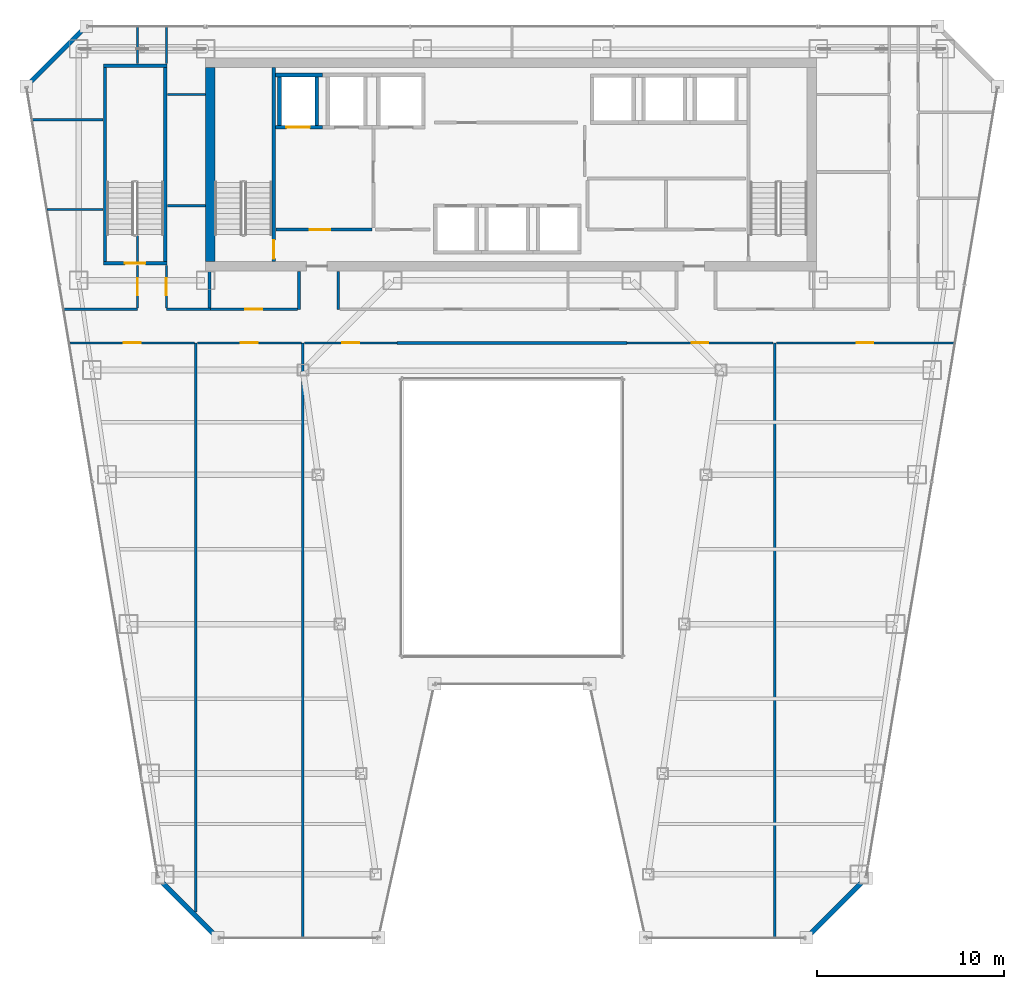
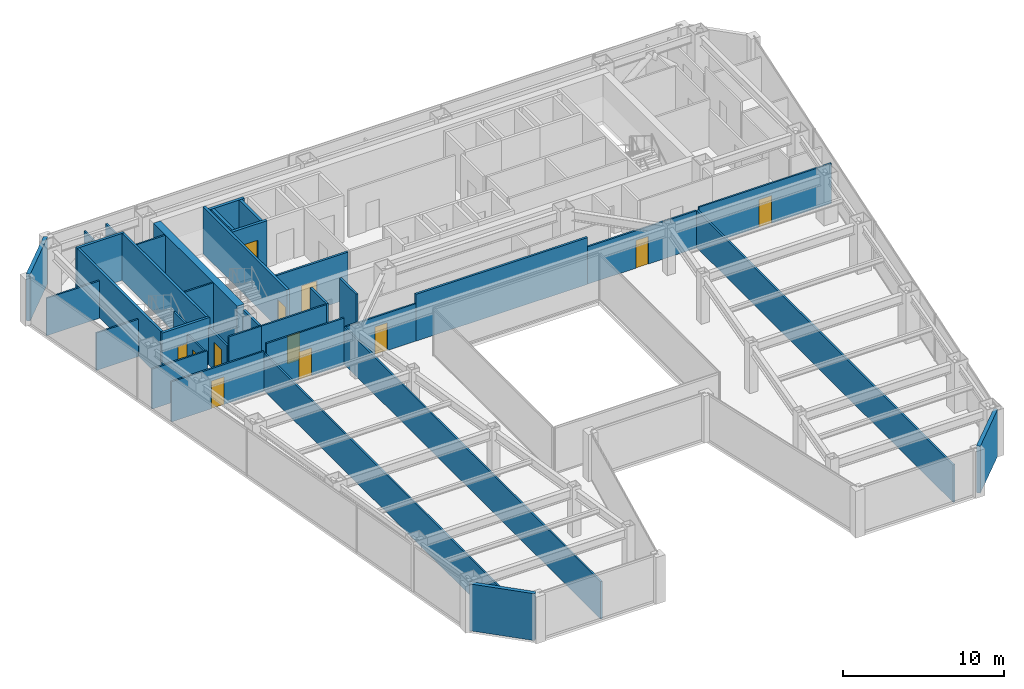
# One storey, part 31 of 37: 38 walls, 12 doors, 12 openings.
"""IFC4 building model written with IfcOpenShell, lengths in metres."""

import ifcopenshell
import ifcopenshell.guid

model = None  # the IFC model being written
_history = None  # IfcOwnerHistory: only IFC2X3 demands one
_inside = {}  # id of a spatial element -> (the spatial element, [elements in it])
_under = {}  # id of a project, library or spatial element -> (it, [spatial elements below it])
_declared = {}  # id of a project -> (the project, [libraries it declares])
_typed = {}  # id of a type object -> (the type object, [elements of that type])
_made_of = {}  # id of a material, layer set ... -> (it, [elements and type objects made of it])


def new_model(schema):
    """Start an empty IFC model of exactly this schema.

    Asked for "IFC4X3", IfcOpenShell would pick the latest addendum, in which some entities
    have other attributes; the version numbers below select the first issue.
    IFC2X3 requires an IfcOwnerHistory on every rooted entity: one is made here for all.
    """
    global model, _history
    if schema == "IFC4X3":
        model = ifcopenshell.file(schema_version=(4, 3, 0, 0))
    else:
        model = ifcopenshell.file(schema=schema)
    _inside.clear()
    _under.clear()
    _declared.clear()
    _typed.clear()
    _made_of.clear()
    _history = None
    if model.schema == "IFC2X3":
        org = make("IfcOrganization", Name="unknown")
        user = make(
            "IfcPersonAndOrganization",
            ThePerson=make("IfcPerson", FamilyName="unknown"),
            TheOrganization=org,
        )
        app = make(
            "IfcApplication",
            ApplicationDeveloper=org,
            Version="unknown",
            ApplicationFullName="unknown",
            ApplicationIdentifier="unknown",
        )
        _history = make(
            "IfcOwnerHistory",
            OwningUser=user,
            OwningApplication=app,
            ChangeAction="ADDED",
            CreationDate=0,
        )
    return model


def make(cls, **values):
    """One entity of the class cls with the attributes given. An attribute that is None is left unset."""
    return model.create_entity(
        cls, **{name: value for name, value in values.items() if value is not None}
    )


def rooted(cls, **values):
    """An entity with a GlobalId (a new one), such as an element, a storey or a relation."""
    return make(cls, GlobalId=ifcopenshell.guid.new(), OwnerHistory=_history, **values)


def si_unit(unit_type, name, prefix=None):
    """IfcSIUnit, for example si_unit("LENGTHUNIT", "METRE", prefix="MILLI")."""
    return make("IfcSIUnit", UnitType=unit_type, Prefix=prefix, Name=name)


def assignment(units):
    """IfcUnitAssignment: the units of a project."""
    return None if units is None else make("IfcUnitAssignment", Units=units)


def point(xyz):
    """IfcCartesianPoint."""
    return None if xyz is None else make("IfcCartesianPoint", Coordinates=xyz)


def direction(xyz):
    """IfcDirection."""
    return None if xyz is None else make("IfcDirection", DirectionRatios=xyz)


def frame(location, z_axis=None, x_axis=None):
    """IfcAxis2Placement3D, a coordinate frame: its origin and axes. An axis left out is left unset."""
    return make(
        "IfcAxis2Placement3D",
        Location=point(location),
        Axis=direction(z_axis),
        RefDirection=direction(x_axis),
    )


def frame_2d(location, x_axis=None):
    """IfcAxis2Placement2D, a coordinate frame in the plane: its origin and x axis."""
    return make(
        "IfcAxis2Placement2D", Location=point(location), RefDirection=direction(x_axis)
    )


def origin():
    """The frame at (0, 0, 0) with its axes left unset."""
    return frame((0.0, 0.0, 0.0))


def place(relative_to, where):
    """IfcLocalPlacement: puts the frame where relative to a parent placement (None: the world)."""
    return make(
        "IfcLocalPlacement", PlacementRelTo=relative_to, RelativePlacement=where
    )


def context(
    kind, dimensions, precision=None, world=None, true_north=None, identifier=None
):
    """IfcGeometricRepresentationContext, for example the 3D "Model" context."""
    return make(
        "IfcGeometricRepresentationContext",
        ContextIdentifier=identifier,
        ContextType=kind,
        CoordinateSpaceDimension=dimensions,
        Precision=precision,
        WorldCoordinateSystem=world,
        TrueNorth=true_north,
    )


def subcontext(parent, identifier, kind, view, scale=None):
    """IfcGeometricRepresentationSubContext, for example "Body" below "Model"."""
    return make(
        "IfcGeometricRepresentationSubContext",
        ContextIdentifier=identifier,
        ContextType=kind,
        ParentContext=parent,
        TargetScale=scale,
        TargetView=view,
    )


def project(units=None, contexts=None):
    """IfcProject with its units and contexts."""
    return rooted(
        "IfcProject",
        Name="project",
        RepresentationContexts=contexts,
        UnitsInContext=assignment(units),
    )


def spatial(cls, under=None, at=None, **own):
    """A site, building, storey or space (cls), placed at a placement, below another one or the project."""
    s = rooted(cls, ObjectPlacement=at, **own)
    if under is not None:
        _under.setdefault(under.id(), (under, []))[1].append(s)
    return s


def profile(cls, at=None, kind="AREA", **sizes):
    """A parametric profile (cls). Its sizes go by their IFC names, for example OverallWidth=200.0."""
    return make(cls, ProfileType=kind, Position=at, **sizes)


def rectangle(**sizes):
    """IfcRectangleProfileDef."""
    return profile("IfcRectangleProfileDef", **sizes)


def extrude(swept, where, along, depth):
    """IfcExtrudedAreaSolid: the profile swept, set in the frame where, extruded along a direction by depth."""
    return make(
        "IfcExtrudedAreaSolid",
        SweptArea=swept,
        Position=where,
        ExtrudedDirection=direction(along),
        Depth=depth,
    )


def shape(context_of_items, identifier, shape_type, items):
    """IfcShapeRepresentation: the items that make up one representation, for example the "Body"."""
    return make(
        "IfcShapeRepresentation",
        ContextOfItems=context_of_items,
        RepresentationIdentifier=identifier,
        RepresentationType=shape_type,
        Items=items,
    )


def material(Name=None, Category=None):
    """IfcMaterial."""
    return make("IfcMaterial", Name=Name, Category=Category)


def layer(
    of_material, thickness, ventilated=None, Name=None, Category=None, Priority=None
):
    """IfcMaterialLayer: one layer of a wall or slab, of a material (None: an air gap)."""
    return make(
        "IfcMaterialLayer",
        Material=of_material,
        LayerThickness=thickness,
        IsVentilated=ventilated,
        Name=Name,
        Category=Category,
        Priority=Priority,
    )


def layer_set(layers, Name=None):
    """IfcMaterialLayerSet."""
    return make("IfcMaterialLayerSet", MaterialLayers=layers, LayerSetName=Name)


def made_of(thing, what):
    """Note that an element or type object is made of a material, layer set ...; save() writes the relation."""
    if what is not None:
        _made_of.setdefault(what.id(), (what, []))[1].append(thing)
    return thing


def type_object(cls, material=None, **own):
    """A type object (cls), such as IfcWallType, which elements share."""
    return made_of(rooted(cls, **own), material)


def element(
    cls,
    number,
    at=None,
    inside=None,
    cuts=None,
    type_object=None,
    material=None,
    context=None,
    identifier="Body",
    shape_type=None,
    held_by="IfcProductDefinitionShape",
    body=None,
    shapes=None,
    **own,
):
    """One element of the class cls, such as IfcWall. Its Tag is "e" and its number.

    at: its placement. inside: the storey or other place that contains it. cuts: it is an
    opening in that element (IfcRelVoidsElement). A single representation is given by context,
    identifier, shape_type and body (its items); several are given by shapes. held_by: the class
    of the entity that holds the representations. save() writes the other relations.
    """
    e = rooted(cls, Tag="e%d" % number, ObjectPlacement=at, **own)
    if body is not None:
        shapes = [shape(context, identifier, shape_type, body)]
    if shapes is not None:
        e.Representation = make(held_by, Representations=shapes)
    if inside is not None:
        _inside.setdefault(inside.id(), (inside, []))[1].append(e)
    if cuts is not None:
        rooted(
            "IfcRelVoidsElement", RelatingBuildingElement=cuts, RelatedOpeningElement=e
        )
    if type_object is not None:
        _typed.setdefault(type_object.id(), (type_object, []))[1].append(e)
    return made_of(e, material)


def fill(opening, filler):
    """IfcRelFillsElement: the door or window that sits in an opening."""
    return rooted(
        "IfcRelFillsElement",
        RelatingOpeningElement=opening,
        RelatedBuildingElement=filler,
    )


def aggregate(whole, parts):
    """IfcRelAggregates: a whole, such as a stair, and the parts it consists of."""
    return rooted("IfcRelAggregates", RelatingObject=whole, RelatedObjects=parts)


def save(model, path):
    """Write the relations noted so far, then the file.

    IfcRelAggregates (storeys below a building ...), IfcRelContainedInSpatialStructure (elements
    in a storey), IfcRelDefinesByType, IfcRelAssociatesMaterial and IfcRelDeclares: one each for
    every whole, place, type object, material and project.
    """
    for whole, parts in _under.values():
        aggregate(whole, parts)
    for where, things in _inside.values():
        rooted(
            "IfcRelContainedInSpatialStructure",
            RelatedElements=things,
            RelatingStructure=where,
        )
    for kind, things in _typed.values():
        rooted("IfcRelDefinesByType", RelatedObjects=things, RelatingType=kind)
    for what, things in _made_of.values():
        rooted("IfcRelAssociatesMaterial", RelatedObjects=things, RelatingMaterial=what)
    for by, libraries in _declared.values():
        rooted("IfcRelDeclares", RelatingContext=by, RelatedDefinitions=libraries)
    model.write(path)


model = new_model("IFC4")

# Units and contexts
model_context = context("Model", 3, precision=1e-05, world=origin(), true_north=direction((0.0, 1.0)))
body_context = subcontext(model_context, "Body", "Model", "MODEL_VIEW")
ifc_project = project(units=[si_unit("LENGTHUNIT", "METRE"), si_unit("AREAUNIT", "SQUARE_METRE"), si_unit("VOLUMEUNIT", "CUBIC_METRE"), si_unit("PLANEANGLEUNIT", "RADIAN"), si_unit("MASSUNIT", "GRAM", prefix="KILO")], contexts=[model_context])

# Site, building, storey
site_placement = place(None, origin())
site = spatial("IfcSite", under=ifc_project, at=site_placement, CompositionType="ELEMENT")
building_placement = place(site_placement, origin())
building = spatial("IfcBuilding", under=site, at=building_placement, Name="Saevonmaru Cultural Tower", CompositionType="ELEMENT")
storey_placement = place(building_placement, frame((0.0, 0.0, 160.0)))
storey = spatial("IfcBuildingStorey", under=building, at=storey_placement, Name="L35", CompositionType="ELEMENT", Elevation=160.0)

# Wall
ifc_material_1 = material(Name="Concrete C60/75", Category="concrete")
ifc_layer_1 = layer(ifc_material_1, 0.5, Name="Concrete C60/75")
ifc_layer_set_1 = layer_set([ifc_layer_1], Name="Concrete C60/75")
wall_type_1 = type_object("IfcWallType", Name="WL-CORE-500", PredefinedType="SHEAR", material=ifc_layer_set_1)
wall_1_placement = place(storey_placement, frame((13.85009765625, 43.39990234375, 0.0), z_axis=(0.0, 0.0, 1.0), x_axis=(0.0, 1.0, 0.0)))
element("IfcWall", 1, at=wall_1_placement, inside=storey, type_object=wall_type_1, Name="L35 Tower RC core shear wall W", PredefinedType="SHEAR", context=body_context, shape_type="SweptSolid", body=[
    extrude(rectangle(XDim=10.400146484375, YDim=0.5, at=frame_2d((5.2001953125, 0.0))), origin(), (0.0, 0.0, 1.0), 3.550048828125),
])

# Wall, opening, door
ifc_material_2 = material(Name="Gypsum Fireboard Partition", Category="gypsum")
ifc_layer_2 = layer(ifc_material_2, 0.14990234375, Name="Gypsum Fireboard Partition")
ifc_layer_set_2 = layer_set([ifc_layer_2], Name="Gypsum Fireboard Partition")
wall_type_2 = type_object("IfcWallType", Name="WL-CORE-PART-150", PredefinedType="PARTITIONING", material=ifc_layer_set_2)
wall_2_placement = place(storey_placement, frame((17.360107421875, 45.1201171875, 0.0), z_axis=(0.0, 0.0, 1.0), x_axis=(1.0, 0.0, 0.0)))
wall_2 = element("IfcWall", 2, at=wall_2_placement, inside=storey, type_object=wall_type_2, Name="L35 Firefighting Lift Lobby South Wall", PredefinedType="PARTITIONING", context=body_context, shape_type="SweptSolid", body=[
    extrude(rectangle(XDim=5.139892578125, YDim=0.14990234375, at=frame_2d((2.56982421875, 0.0))), origin(), (0.0, 0.0, 1.0), 3.550048828125),
])
opening_1_placement = place(wall_2_placement, frame((1.800048828125, 0.0, 0.0)))
opening_1 = element("IfcOpeningElement", 3, at=opening_1_placement, cuts=wall_2, Name="Opening FD-2", PredefinedType="OPENING", context=body_context, shape_type="SweptSolid", body=[
    extrude(rectangle(XDim=1.10009765625, YDim=2.14990234375, at=frame_2d((0.550048828125, 1.074951171875))), frame((0.0, 0.0849609375, 0.0), z_axis=(0.0, -1.0, 0.0), x_axis=(1.0, 0.0, 0.0)), (0.0, 0.0, 1.0), 0.169921875),
])
ifc_material_3 = material(Name="Satin Bronze Anodised Aluminium", Category="aluminium")
door_type_1 = type_object("IfcDoorType", Name="DR-FD60-1100", OperationType="SINGLE_SWING_LEFT", PredefinedType="DOOR", material=ifc_material_3)
door_1_placement = place(opening_1_placement, origin())
door_1 = element("IfcDoor", 4, at=door_1_placement, inside=storey, type_object=door_type_1, Name="L35 Firefighting Lift Lobby South Door", OperationType="SINGLE_SWING_LEFT", OverallHeight=2.14990234375, OverallWidth=1.10009765625, PredefinedType="DOOR", context=body_context, shape_type="SweptSolid", body=[
    extrude(rectangle(XDim=1.10009765625, YDim=2.14990234375, at=frame_2d((0.550048828125, 1.074951171875))), frame((0.0, 0.02490234375, 0.0), z_axis=(0.0, -1.0, 0.0), x_axis=(1.0, 0.0, 0.0)), (0.0, 0.0, 1.0), 0.050048828125),
])
fill(opening_1, door_1)

# Walls
ifc_material_4 = material(Name="Granite-Clad Precast Concrete C40/50", Category="masonry")
ifc_layer_3 = layer(ifc_material_4, 0.260009765625, Name="Granite-Clad Precast Concrete C40/50")
ifc_layer_set_3 = layer_set([ifc_layer_3], Name="Granite-Clad Precast Concrete C40/50")
wall_type_3 = type_object("IfcWallType", Name="WL-EXT-SPANDREL-260", PredefinedType="STANDARD", material=ifc_layer_set_3)
for number, where, z_axis, x_axis, name in (
    (5, (11.162109375, 10.286865234375, 0.0), (0.0, 0.0, 1.0), (0.70707775441, -0.707135806771, 0.0), "L35 Chamfer Corner Spandrel Wall E1"),
    (6, (45.8642578125, 7.31298828125, 0.0), (0.0, 0.0, 1.0), (0.70707775441, 0.707135806771, 0.0), "L35 Chamfer Corner Spandrel Wall E7"),
):
    element("IfcWall", number, at=place(storey_placement, frame(where, z_axis=z_axis, x_axis=x_axis)), inside=storey, type_object=wall_type_3, Name=name, PredefinedType="STANDARD", context=body_context, shape_type="SweptSolid", body=[
        extrude(rectangle(XDim=4.20556640625, YDim=0.260009765625, at=frame_2d((2.102783203125, 0.0))), origin(), (0.0, 0.0, 1.0), 3.550048828125),
    ])
wall_3_placement = place(storey_placement, frame((7.0869140625, 55.886962890625, 0.0), z_axis=(0.0, 0.0, 1.0), x_axis=(-0.707106781187, -0.707106781187, 0.0)))
element("IfcWall", 7, at=wall_3_placement, inside=storey, type_object=wall_type_3, Name="L35 Chamfer Corner Spandrel Wall E11", PredefinedType="STANDARD", context=body_context, shape_type="SweptSolid", body=[
    extrude(rectangle(XDim=4.205810546875, YDim=0.260009765625, at=frame_2d((2.10302734375, 0.0))), origin(), (0.0, 0.0, 1.0), 3.550048828125),
])
ifc_layer_4 = layer(ifc_material_2, 0.14990234375, Name="Gypsum Fireboard Partition")
ifc_layer_set_4 = layer_set([ifc_layer_4], Name="Gypsum Fireboard Partition")
wall_type_4 = type_object("IfcWallType", Name="WL-PART-FIRE-150", PredefinedType="PARTITIONING", material=ifc_layer_set_4)
wall_4_placement = place(storey_placement, frame((13.800048828125, 40.929931640625, 0.0), z_axis=(0.0, 0.0, 1.0), x_axis=(0.0, 1.0, 0.0)))
element("IfcWall", 8, at=wall_4_placement, inside=storey, type_object=wall_type_4, Name="L35 Core Portal Side Wall W0", PredefinedType="PARTITIONING", context=body_context, shape_type="SweptSolid", body=[
    extrude(rectangle(XDim=1.949951171875, YDim=0.14990234375, at=frame_2d((0.97509765625, 0.0))), origin(), (0.0, 0.0, 1.0), 3.550048828125),
])
for number, where, z_axis, x_axis, name in (
    (9, (18.60009765625, 40.85009765625, 0.0), (0.0, 0.0, 1.0), (0.0, 1.0, 0.0), "L35 Core Portal Side Wall W1"),
    (10, (20.699951171875, 40.85009765625, 0.0), (0.0, 0.0, 1.0), (0.0, 1.0, 0.0), "L35 Core Portal Side Wall W2"),
):
    element("IfcWall", number, at=place(storey_placement, frame(where, z_axis=z_axis, x_axis=x_axis)), inside=storey, type_object=wall_type_4, Name=name, PredefinedType="PARTITIONING", context=body_context, shape_type="SweptSolid", body=[
        extrude(rectangle(XDim=2.02978515625, YDim=0.14990234375, at=frame_2d((1.014892578125, 0.0))), origin(), (0.0, 0.0, 1.0), 3.550048828125),
    ])
wall_5_placement = place(storey_placement, frame((23.85009765625, 39.050048828125, 0.0), z_axis=(0.0, 0.0, 1.0), x_axis=(1.0, 0.0, 0.0)))
element("IfcWall", 11, at=wall_5_placement, inside=storey, type_object=wall_type_4, Name="L35 North Atrium Corridor Wall", PredefinedType="PARTITIONING", context=body_context, shape_type="SweptSolid", body=[
    extrude(rectangle(XDim=12.2998046875, YDim=0.14990234375, at=frame_2d((6.14990234375, 0.0))), origin(), (0.0, 0.0, 1.0), 3.550048828125),
])
ifc_layer_5 = layer(ifc_material_2, 0.1201171875, Name="Gypsum Fireboard Partition")
ifc_layer_set_5 = layer_set([ifc_layer_5], Name="Gypsum Fireboard Partition")
wall_type_5 = type_object("IfcWallType", Name="WL-PART-GYP-120", PredefinedType="PARTITIONING", material=ifc_layer_set_5)
wall_6_placement = place(storey_placement, frame((5.99169921875, 40.85009765625, 0.0), z_axis=(0.0, 0.0, 1.0), x_axis=(1.0, 0.0, 0.0)))
element("IfcWall", 12, at=wall_6_placement, inside=storey, type_object=wall_type_5, Name="L35 NW Wing South Wall", PredefinedType="PARTITIONING", context=body_context, shape_type="SweptSolid", body=[
    extrude(rectangle(XDim=3.958251953125, YDim=0.1201171875, at=frame_2d((1.97900390625, 0.0))), origin(), (0.0, 0.0, 1.0), 3.034912109375),
])
wall_7_placement = place(storey_placement, frame((11.5, 40.85009765625, 0.0), z_axis=(0.0, 0.0, 1.0), x_axis=(1.0, 0.0, 0.0)))
element("IfcWall", 13, at=wall_7_placement, inside=storey, type_object=wall_type_5, Name="L35 NW Inner South Wall", PredefinedType="PARTITIONING", context=body_context, shape_type="SweptSolid", body=[
    extrude(rectangle(XDim=2.35009765625, YDim=0.1201171875, at=frame_2d((1.175048828125, 0.0))), origin(), (0.0, 0.0, 1.0), 3.550048828125),
])
wall_8_placement = place(storey_placement, frame((11.550048828125, 52.35009765625, 0.0), z_axis=(0.0, 0.0, 1.0), x_axis=(1.0, 0.0, 0.0)))
element("IfcWall", 14, at=wall_8_placement, inside=storey, type_object=wall_type_5, Name="L35 North-West Panorama South Wall", PredefinedType="PARTITIONING", context=body_context, shape_type="SweptSolid", body=[
    extrude(rectangle(XDim=2.030029296875, YDim=0.1201171875, at=frame_2d((1.01513671875, 0.0))), origin(), (0.0, 0.0, 1.0), 3.550048828125),
])
wall_9_placement = place(storey_placement, frame((11.5, 54.0, 0.0), z_axis=(0.0, 0.0, 1.0), x_axis=(0.0, 1.0, 0.0)))
element("IfcWall", 15, at=wall_9_placement, inside=storey, type_object=wall_type_5, Name="L35 Literature Seminar Meeting Room Corridor Wall", PredefinedType="PARTITIONING", context=body_context, shape_type="SweptSolid", body=[
    extrude(rectangle(XDim=1.9951171875, YDim=0.1201171875, at=frame_2d((0.99755859375, 0.0))), origin(), (0.0, 0.0, 1.0), 2.93505859375),
])
wall_10_placement = place(storey_placement, frame((5.102294921875, 46.199951171875, 0.0), z_axis=(0.0, 0.0, 1.0), x_axis=(1.0, 0.0, 0.0)))
element("IfcWall", 16, at=wall_10_placement, inside=storey, type_object=wall_type_5, Name="L35 NW Studio Divider 1", PredefinedType="PARTITIONING", context=body_context, shape_type="SweptSolid", body=[
    extrude(rectangle(XDim=2.997802734375, YDim=0.1201171875, at=frame_2d((1.4990234375, 0.0))), origin(), (0.0, 0.0, 1.0), 2.8349609375),
])
wall_11_placement = place(storey_placement, frame((4.30419921875, 51.0, 0.0), z_axis=(0.0, 0.0, 1.0), x_axis=(1.0, 0.0, 0.0)))
element("IfcWall", 17, at=wall_11_placement, inside=storey, type_object=wall_type_5, Name="L35 NW Studio Divider 2", PredefinedType="PARTITIONING", context=body_context, shape_type="SweptSolid", body=[
    extrude(rectangle(XDim=3.7958984375, YDim=0.1201171875, at=frame_2d((1.89794921875, 0.0))), origin(), (0.0, 0.0, 1.0), 2.8349609375),
])

# Wall, opening, door
wall_12_placement = place(storey_placement, frame((9.949951171875, 40.929931640625, 0.0), z_axis=(0.0, 0.0, 1.0), x_axis=(0.0, 1.0, 0.0)))
wall_12 = element("IfcWall", 18, at=wall_12_placement, inside=storey, type_object=wall_type_5, Name="L35 Translation Research Office Corridor Wall", PredefinedType="PARTITIONING", context=body_context, shape_type="SweptSolid", body=[
    extrude(rectangle(XDim=2.27001953125, YDim=0.1201171875, at=frame_2d((1.135009765625, 0.0))), origin(), (0.0, 0.0, 1.0), 2.8349609375),
])
opening_2_placement = place(wall_12_placement, frame((0.68505859375, 0.0, 0.0)))
opening_2 = element("IfcOpeningElement", 19, at=opening_2_placement, cuts=wall_12, Name="Opening ID-2", PredefinedType="OPENING", context=body_context, shape_type="SweptSolid", body=[
    extrude(rectangle(XDim=0.89990234375, YDim=2.10009765625, at=frame_2d((0.449951171875, 1.050048828125))), frame((0.0, 0.070068359375, 0.0), z_axis=(0.0, -1.0, 0.0), x_axis=(1.0, 0.0, 0.0)), (0.0, 0.0, 1.0), 0.14013671875),
])
ifc_material_5 = material(Name="Acoustic Stained Oak Timber", Category="wood")
door_type_2 = type_object("IfcDoorType", Name="DR-INT-900", OperationType="SINGLE_SWING_RIGHT", PredefinedType="DOOR", material=ifc_material_5)
door_2_placement = place(opening_2_placement, origin())
door_2 = element("IfcDoor", 20, at=door_2_placement, inside=storey, type_object=door_type_2, Name="L35 Translation Research Office Door", OperationType="SINGLE_SWING_LEFT", OverallHeight=2.10009765625, OverallWidth=0.89990234375, PredefinedType="DOOR", context=body_context, shape_type="SweptSolid", body=[
    extrude(rectangle(XDim=0.89990234375, YDim=2.10009765625, at=frame_2d((0.449951171875, 1.050048828125))), frame((0.0, 0.02490234375, 0.0), z_axis=(0.0, -1.0, 0.0), x_axis=(1.0, 0.0, 0.0)), (0.0, 0.0, 1.0), 0.050048828125),
])
fill(opening_2, door_2)

# Walls
wall_13_placement = place(storey_placement, frame((9.949951171875, 43.419921875, 0.0), z_axis=(0.0, 0.0, 1.0), x_axis=(0.0, 1.0, 0.0)))
element("IfcWall", 21, at=wall_13_placement, inside=storey, type_object=wall_type_5, Name="L35 Translation Research Office Corridor Wall (2)", PredefinedType="PARTITIONING", context=body_context, shape_type="SweptSolid", body=[
    extrude(rectangle(XDim=1.4501953125, YDim=0.1201171875, at=frame_2d((0.72509765625, 0.0))), origin(), (0.0, 0.0, 1.0), 3.550048828125),
])
wall_14_placement = place(storey_placement, frame((9.949951171875, 54.0, 0.0), z_axis=(0.0, 0.0, 1.0), x_axis=(0.0, 1.0, 0.0)))
element("IfcWall", 22, at=wall_14_placement, inside=storey, type_object=wall_type_5, Name="L35 Literature Seminar Meeting Room Corridor Wall", PredefinedType="PARTITIONING", context=body_context, shape_type="SweptSolid", body=[
    extrude(rectangle(XDim=1.9951171875, YDim=0.1201171875, at=frame_2d((0.99755859375, 0.0))), origin(), (0.0, 0.0, 1.0), 2.93505859375),
])
wall_15_placement = place(storey_placement, frame((11.550048828125, 46.39990234375, 0.0), z_axis=(0.0, 0.0, 1.0), x_axis=(1.0, 0.0, 0.0)))
element("IfcWall", 23, at=wall_15_placement, inside=storey, type_object=wall_type_5, Name="L35 NW Inner Divider", PredefinedType="PARTITIONING", context=body_context, shape_type="SweptSolid", body=[
    extrude(rectangle(XDim=2.030029296875, YDim=0.1201171875, at=frame_2d((1.01513671875, 0.0))), origin(), (0.0, 0.0, 1.0), 3.550048828125),
])

# Wall, opening, door
wall_16_placement = place(storey_placement, frame((11.5, 40.929931640625, 0.0), z_axis=(0.0, 0.0, 1.0), x_axis=(0.0, 1.0, 0.0)))
wall_16 = element("IfcWall", 24, at=wall_16_placement, inside=storey, type_object=wall_type_5, Name="L35 Architecture Residency Office Corridor Wall", PredefinedType="PARTITIONING", context=body_context, shape_type="SweptSolid", body=[
    extrude(rectangle(XDim=2.27001953125, YDim=0.1201171875, at=frame_2d((1.135009765625, 0.0))), origin(), (0.0, 0.0, 1.0), 2.8349609375),
])
opening_3_placement = place(wall_16_placement, frame((0.68505859375, 0.0, 0.0)))
opening_3 = element("IfcOpeningElement", 25, at=opening_3_placement, cuts=wall_16, Name="Opening ID-2", PredefinedType="OPENING", context=body_context, shape_type="SweptSolid", body=[
    extrude(rectangle(XDim=0.89990234375, YDim=2.10009765625, at=frame_2d((0.449951171875, 1.050048828125))), frame((0.0, 0.070068359375, 0.0), z_axis=(0.0, -1.0, 0.0), x_axis=(1.0, 0.0, 0.0)), (0.0, 0.0, 1.0), 0.14013671875),
])
door_3_placement = place(opening_3_placement, origin())
door_3 = element("IfcDoor", 26, at=door_3_placement, inside=storey, type_object=door_type_2, Name="L35 Architecture Residency Office Door", OperationType="SINGLE_SWING_RIGHT", OverallHeight=2.10009765625, OverallWidth=0.89990234375, PredefinedType="DOOR", context=body_context, shape_type="SweptSolid", body=[
    extrude(rectangle(XDim=0.89990234375, YDim=2.10009765625, at=frame_2d((0.449951171875, 1.050048828125))), frame((0.0, 0.02490234375, 0.0), z_axis=(0.0, -1.0, 0.0), x_axis=(1.0, 0.0, 0.0)), (0.0, 0.0, 1.0), 0.050048828125),
])
fill(opening_3, door_3)

wall_17_placement = place(storey_placement, frame((13.85009765625, 40.85009765625, 0.0), z_axis=(0.0, 0.0, 1.0), x_axis=(1.0, 0.0, 0.0)))
wall_17 = element("IfcWall", 27, at=wall_17_placement, inside=storey, type_object=wall_type_5, Name="L35 Translation Research Office Corridor Wall", PredefinedType="PARTITIONING", context=body_context, shape_type="SweptSolid", body=[
    extrude(rectangle(XDim=4.65478515625, YDim=0.1201171875, at=frame_2d((2.327392578125, 0.0))), origin(), (0.0, 0.0, 1.0), 3.550048828125),
])
opening_4_placement = place(wall_17_placement, frame((1.876953125, 0.0, 0.0)))
opening_4 = element("IfcOpeningElement", 28, at=opening_4_placement, cuts=wall_17, Name="Opening ID-2", PredefinedType="OPENING", context=body_context, shape_type="SweptSolid", body=[
    extrude(rectangle(XDim=0.89990234375, YDim=2.10009765625, at=frame_2d((0.449951171875, 1.050048828125))), frame((0.0, 0.070068359375, 0.0), z_axis=(0.0, -1.0, 0.0), x_axis=(1.0, 0.0, 0.0)), (0.0, 0.0, 1.0), 0.14013671875),
])
door_4_placement = place(opening_4_placement, origin())
door_4 = element("IfcDoor", 29, at=door_4_placement, inside=storey, type_object=door_type_2, Name="L35 Translation Research Office Door", OperationType="SINGLE_SWING_RIGHT", OverallHeight=2.10009765625, OverallWidth=0.89990234375, PredefinedType="DOOR", context=body_context, shape_type="SweptSolid", body=[
    extrude(rectangle(XDim=0.89990234375, YDim=2.10009765625, at=frame_2d((0.449951171875, 1.050048828125))), frame((0.0, 0.02490234375, 0.0), z_axis=(0.0, -1.0, 0.0), x_axis=(1.0, 0.0, 0.0)), (0.0, 0.0, 1.0), 0.050048828125),
])
fill(opening_4, door_4)

# Walls
wall_18_placement = place(storey_placement, frame((13.070068359375, 8.591064453125, 0.0), z_axis=(0.0, 0.0, 1.0), x_axis=(0.0, 1.0, 0.0)))
element("IfcWall", 30, at=wall_18_placement, inside=storey, type_object=wall_type_5, Name="L35 West Bay Divider 1", PredefinedType="PARTITIONING", context=body_context, shape_type="SweptSolid", body=[
    extrude(rectangle(XDim=30.458984375, YDim=0.1201171875, at=frame_2d((15.2294921875, 0.0))), origin(), (0.0, 0.0, 1.0), 2.8349609375),
])
wall_19_placement = place(storey_placement, frame((18.800048828125, 7.205078125, 0.0), z_axis=(0.0, 0.0, 1.0), x_axis=(0.0, 1.0, 0.0)))
element("IfcWall", 31, at=wall_19_placement, inside=storey, type_object=wall_type_5, Name="L35 West Bay Divider 2", PredefinedType="PARTITIONING", context=body_context, shape_type="SweptSolid", body=[
    extrude(rectangle(XDim=31.844970703125, YDim=0.1201171875, at=frame_2d((15.92236328125, 0.0))), origin(), (0.0, 0.0, 1.0), 2.8349609375),
])

# Wall, opening, door
wall_20_placement = place(storey_placement, frame((6.348388671875, 39.050048828125, 0.0), z_axis=(0.0, 0.0, 1.0), x_axis=(1.0, 0.0, 0.0)))
wall_20 = element("IfcWall", 32, at=wall_20_placement, inside=storey, type_object=wall_type_5, Name="L35 Translation Research Office Corridor Wall", PredefinedType="PARTITIONING", context=body_context, shape_type="SweptSolid", body=[
    extrude(rectangle(XDim=6.6416015625, YDim=0.1201171875, at=frame_2d((3.32080078125, 0.0))), origin(), (0.0, 0.0, 1.0), 3.034912109375),
])
opening_5_placement = place(wall_20_placement, frame((2.87109375, 0.0, 0.0)))
opening_5 = element("IfcOpeningElement", 33, at=opening_5_placement, cuts=wall_20, Name="Opening ID-2", PredefinedType="OPENING", context=body_context, shape_type="SweptSolid", body=[
    extrude(rectangle(XDim=0.89990234375, YDim=2.10009765625, at=frame_2d((0.449951171875, 1.050048828125))), frame((0.0, 0.070068359375, 0.0), z_axis=(0.0, -1.0, 0.0), x_axis=(1.0, 0.0, 0.0)), (0.0, 0.0, 1.0), 0.14013671875),
])
door_5_placement = place(opening_5_placement, origin())
door_5 = element("IfcDoor", 34, at=door_5_placement, inside=storey, type_object=door_type_2, Name="L35 Translation Research Office Door", OperationType="SINGLE_SWING_RIGHT", OverallHeight=2.10009765625, OverallWidth=0.89990234375, PredefinedType="DOOR", context=body_context, shape_type="SweptSolid", body=[
    extrude(rectangle(XDim=0.89990234375, YDim=2.10009765625, at=frame_2d((0.449951171875, 1.050048828125))), frame((0.0, 0.02490234375, 0.0), z_axis=(0.0, -1.0, 0.0), x_axis=(1.0, 0.0, 0.0)), (0.0, 0.0, 1.0), 0.050048828125),
])
fill(opening_5, door_5)

wall_21_placement = place(storey_placement, frame((13.14990234375, 39.050048828125, 0.0), z_axis=(0.0, 0.0, 1.0), x_axis=(1.0, 0.0, 0.0)))
wall_21 = element("IfcWall", 35, at=wall_21_placement, inside=storey, type_object=wall_type_5, Name="L35 Architecture Residency Office Corridor Wall", PredefinedType="PARTITIONING", context=body_context, shape_type="SweptSolid", body=[
    extrude(rectangle(XDim=5.570068359375, YDim=0.1201171875, at=frame_2d((2.78515625, 0.0))), origin(), (0.0, 0.0, 1.0), 3.550048828125),
])
opening_6_placement = place(wall_21_placement, frame((2.3349609375, 0.0, 0.0)))
opening_6 = element("IfcOpeningElement", 36, at=opening_6_placement, cuts=wall_21, Name="Opening ID-2", PredefinedType="OPENING", context=body_context, shape_type="SweptSolid", body=[
    extrude(rectangle(XDim=0.89990234375, YDim=2.10009765625, at=frame_2d((0.449951171875, 1.050048828125))), frame((0.0, 0.070068359375, 0.0), z_axis=(0.0, -1.0, 0.0), x_axis=(1.0, 0.0, 0.0)), (0.0, 0.0, 1.0), 0.14013671875),
])
door_6_placement = place(opening_6_placement, origin())
door_6 = element("IfcDoor", 37, at=door_6_placement, inside=storey, type_object=door_type_2, Name="L35 Architecture Residency Office Door", OperationType="SINGLE_SWING_LEFT", OverallHeight=2.10009765625, OverallWidth=0.89990234375, PredefinedType="DOOR", context=body_context, shape_type="SweptSolid", body=[
    extrude(rectangle(XDim=0.89990234375, YDim=2.10009765625, at=frame_2d((0.449951171875, 1.050048828125))), frame((0.0, 0.02490234375, 0.0), z_axis=(0.0, -1.0, 0.0), x_axis=(1.0, 0.0, 0.0)), (0.0, 0.0, 1.0), 0.050048828125),
])
fill(opening_6, door_6)

wall_22_placement = place(storey_placement, frame((18.8798828125, 39.050048828125, 0.0), z_axis=(0.0, 0.0, 1.0), x_axis=(1.0, 0.0, 0.0)))
wall_22 = element("IfcWall", 38, at=wall_22_placement, inside=storey, type_object=wall_type_5, Name="L35 Literature Seminar Meeting Room Corridor Wall", PredefinedType="PARTITIONING", context=body_context, shape_type="SweptSolid", body=[
    extrude(rectangle(XDim=4.97021484375, YDim=0.1201171875, at=frame_2d((2.485107421875, 0.0))), origin(), (0.0, 0.0, 1.0), 2.8349609375),
])
opening_7_placement = place(wall_22_placement, frame((2.034912109375, 0.0, 0.0)))
opening_7 = element("IfcOpeningElement", 39, at=opening_7_placement, cuts=wall_22, Name="Opening ID-2", PredefinedType="OPENING", context=body_context, shape_type="SweptSolid", body=[
    extrude(rectangle(XDim=0.89990234375, YDim=2.10009765625, at=frame_2d((0.449951171875, 1.050048828125))), frame((0.0, 0.070068359375, 0.0), z_axis=(0.0, -1.0, 0.0), x_axis=(1.0, 0.0, 0.0)), (0.0, 0.0, 1.0), 0.14013671875),
])
door_7_placement = place(opening_7_placement, origin())
door_7 = element("IfcDoor", 40, at=door_7_placement, inside=storey, type_object=door_type_2, Name="L35 Literature Seminar Meeting Room Door", OperationType="SINGLE_SWING_RIGHT", OverallHeight=2.10009765625, OverallWidth=0.89990234375, PredefinedType="DOOR", context=body_context, shape_type="SweptSolid", body=[
    extrude(rectangle(XDim=0.89990234375, YDim=2.10009765625, at=frame_2d((0.449951171875, 1.050048828125))), frame((0.0, 0.02490234375, 0.0), z_axis=(0.0, -1.0, 0.0), x_axis=(1.0, 0.0, 0.0)), (0.0, 0.0, 1.0), 0.050048828125),
])
fill(opening_7, door_7)

wall_23_placement = place(storey_placement, frame((36.14990234375, 39.050048828125, 0.0), z_axis=(0.0, 0.0, 1.0), x_axis=(1.0, 0.0, 0.0)))
wall_23 = element("IfcWall", 41, at=wall_23_placement, inside=storey, type_object=wall_type_5, Name="L35 Literature Seminar Meeting Room Corridor Wall", PredefinedType="PARTITIONING", context=body_context, shape_type="SweptSolid", body=[
    extrude(rectangle(XDim=7.822509765625, YDim=0.1201171875, at=frame_2d((3.9111328125, 0.0))), origin(), (0.0, 0.0, 1.0), 2.8349609375),
])
opening_8_placement = place(wall_23_placement, frame((3.4609375, 0.0, 0.0)))
opening_8 = element("IfcOpeningElement", 42, at=opening_8_placement, cuts=wall_23, Name="Opening ID-2", PredefinedType="OPENING", context=body_context, shape_type="SweptSolid", body=[
    extrude(rectangle(XDim=0.89990234375, YDim=2.10009765625, at=frame_2d((0.449951171875, 1.050048828125))), frame((0.0, 0.070068359375, 0.0), z_axis=(0.0, -1.0, 0.0), x_axis=(1.0, 0.0, 0.0)), (0.0, 0.0, 1.0), 0.14013671875),
])
door_8_placement = place(opening_8_placement, origin())
door_8 = element("IfcDoor", 43, at=door_8_placement, inside=storey, type_object=door_type_2, Name="L35 Literature Seminar Meeting Room Door", OperationType="SINGLE_SWING_LEFT", OverallHeight=2.10009765625, OverallWidth=0.89990234375, PredefinedType="DOOR", context=body_context, shape_type="SweptSolid", body=[
    extrude(rectangle(XDim=0.89990234375, YDim=2.10009765625, at=frame_2d((0.449951171875, 1.050048828125))), frame((0.0, 0.02490234375, 0.0), z_axis=(0.0, -1.0, 0.0), x_axis=(1.0, 0.0, 0.0)), (0.0, 0.0, 1.0), 0.050048828125),
])
fill(opening_8, door_8)

wall_24_placement = place(storey_placement, frame((44.1474609375, 39.050048828125, 0.0), z_axis=(0.0, 0.0, 1.0), x_axis=(1.0, 0.0, 0.0)))
wall_24 = element("IfcWall", 44, at=wall_24_placement, inside=storey, type_object=wall_type_5, Name="L35 Urban Design Meeting Room Corridor Wall", PredefinedType="PARTITIONING", context=body_context, shape_type="SweptSolid", body=[
    extrude(rectangle(XDim=9.504150390625, YDim=0.1201171875, at=frame_2d((4.751953125, 0.0))), origin(), (0.0, 0.0, 1.0), 3.034912109375),
])
opening_9_placement = place(wall_24_placement, frame((4.302001953125, 0.0, 0.0)))
opening_9 = element("IfcOpeningElement", 45, at=opening_9_placement, cuts=wall_24, Name="Opening ID-2", PredefinedType="OPENING", context=body_context, shape_type="SweptSolid", body=[
    extrude(rectangle(XDim=0.89990234375, YDim=2.10009765625, at=frame_2d((0.449951171875, 1.050048828125))), frame((0.0, 0.070068359375, 0.0), z_axis=(0.0, -1.0, 0.0), x_axis=(1.0, 0.0, 0.0)), (0.0, 0.0, 1.0), 0.14013671875),
])
door_9_placement = place(opening_9_placement, origin())
door_9 = element("IfcDoor", 46, at=door_9_placement, inside=storey, type_object=door_type_2, Name="L35 Urban Design Meeting Room Door", OperationType="SINGLE_SWING_RIGHT", OverallHeight=2.10009765625, OverallWidth=0.89990234375, PredefinedType="DOOR", context=body_context, shape_type="SweptSolid", body=[
    extrude(rectangle(XDim=0.89990234375, YDim=2.10009765625, at=frame_2d((0.449951171875, 1.050048828125))), frame((0.0, 0.02490234375, 0.0), z_axis=(0.0, -1.0, 0.0), x_axis=(1.0, 0.0, 0.0)), (0.0, 0.0, 1.0), 0.050048828125),
])
fill(opening_9, door_9)

# Wall
ifc_layer_6 = layer(ifc_material_2, 0.135009765625, Name="Gypsum Fireboard Partition")
ifc_layer_set_6 = layer_set([ifc_layer_6], Name="Gypsum Fireboard Partition")
wall_type_6 = type_object("IfcWallType", Name="WL-PART-GYP-135", PredefinedType="PARTITIONING", material=ifc_layer_set_6)
wall_25_placement = place(storey_placement, frame((44.06005859375, 7.205078125, 0.0), z_axis=(0.0, 0.0, 1.0), x_axis=(0.0, 1.0, 0.0)))
element("IfcWall", 47, at=wall_25_placement, inside=storey, type_object=wall_type_6, Name="L35 East Bay Divider 1", PredefinedType="PARTITIONING", context=body_context, shape_type="SweptSolid", body=[
    extrude(rectangle(XDim=31.844970703125, YDim=0.135009765625, at=frame_2d((15.92236328125, 0.0))), origin(), (0.0, 0.0, 1.0), 2.8349609375),
])

# Wall, opening, door
ifc_material_6 = material(Name="Concrete C40/50", Category="concrete")
ifc_layer_7 = layer(ifc_material_6, 0.199951171875, Name="Concrete C40/50")
ifc_layer_set_7 = layer_set([ifc_layer_7], Name="Concrete C40/50")
wall_type_7 = type_object("IfcWallType", Name="WL-SHAFT-200", PredefinedType="SHEAR", material=ifc_layer_set_7)
wall_26_placement = place(storey_placement, frame((17.330078125, 50.60009765625, 0.0), z_axis=(0.0, 0.0, 1.0), x_axis=(1.0, 0.0, 0.0)))
wall_26 = element("IfcWall", 48, at=wall_26_placement, inside=storey, type_object=wall_type_7, Name="L35 Lift FFL-1 Hoistway Wall S", PredefinedType="SHEAR", context=body_context, shape_type="SweptSolid", body=[
    extrude(rectangle(XDim=2.52001953125, YDim=0.199951171875, at=frame_2d((1.260009765625, 0.0))), origin(), (0.0, 0.0, 1.0), 3.550048828125),
])
opening_10_placement = place(wall_26_placement, frame((0.594970703125, 0.0, 0.0)))
opening_10 = element("IfcOpeningElement", 49, at=opening_10_placement, cuts=wall_26, Name="Opening LD-2", PredefinedType="OPENING", context=body_context, shape_type="SweptSolid", body=[
    extrude(rectangle(XDim=1.25, YDim=2.300048828125, at=frame_2d((0.625, 1.14990234375))), frame((0.0, 0.10986328125, 0.0), z_axis=(0.0, -1.0, 0.0), x_axis=(1.0, 0.0, 0.0)), (0.0, 0.0, 1.0), 0.219970703125),
])
ifc_material_7 = material(Name="Stainless Steel 316", Category="steel")
door_type_3 = type_object("IfcDoorType", Name="DR-LIFT-1250", OperationType="SLIDING_TO_LEFT", PredefinedType="DOOR", material=ifc_material_7)
door_10_placement = place(opening_10_placement, origin())
door_10 = element("IfcDoor", 50, at=door_10_placement, inside=storey, type_object=door_type_3, Name="L35 Lift FFL-1 Sliding Landing Door", OperationType="SLIDING_TO_LEFT", OverallHeight=2.300048828125, OverallWidth=1.25, PredefinedType="DOOR", context=body_context, shape_type="SweptSolid", body=[
    extrude(rectangle(XDim=1.25, YDim=2.300048828125, at=frame_2d((0.625, 1.14990234375))), frame((0.0, 0.02490234375, 0.0), z_axis=(0.0, -1.0, 0.0), x_axis=(1.0, 0.0, 0.0)), (0.0, 0.0, 1.0), 0.050048828125),
])
fill(opening_10, door_10)

# Walls
wall_27_placement = place(storey_placement, frame((17.330078125, 53.39990234375, 0.0), z_axis=(0.0, 0.0, 1.0), x_axis=(1.0, 0.0, 0.0)))
element("IfcWall", 51, at=wall_27_placement, inside=storey, type_object=wall_type_7, Name="L35 Lift FFL-1 Hoistway Wall N", PredefinedType="SHEAR", context=body_context, shape_type="SweptSolid", body=[
    extrude(rectangle(XDim=2.52001953125, YDim=0.199951171875, at=frame_2d((1.260009765625, 0.0))), origin(), (0.0, 0.0, 1.0), 3.550048828125),
])
for number, where, z_axis, x_axis, name in (
    (52, (17.550048828125, 50.699951171875, 0.0), (0.0, 0.0, 1.0), (0.0, 1.0, 0.0), "L35 Lift FFL-1 Hoistway Wall W"),
    (53, (19.550048828125, 50.699951171875, 0.0), (0.0, 0.0, 1.0), (0.0, 1.0, 0.0), "L35 Lift FFL-1 Hoistway Wall E"),
):
    element("IfcWall", number, at=place(storey_placement, frame(where, z_axis=z_axis, x_axis=x_axis)), inside=storey, type_object=wall_type_7, Name=name, PredefinedType="SHEAR", context=body_context, shape_type="SweptSolid", body=[
        extrude(rectangle(XDim=2.60009765625, YDim=0.199951171875, at=frame_2d((1.300048828125, 0.0))), origin(), (0.0, 0.0, 1.0), 3.550048828125),
    ])

# Wall, opening, door
ifc_layer_8 = layer(ifc_material_6, 0.179931640625, Name="Concrete C40/50")
ifc_layer_set_8 = layer_set([ifc_layer_8], Name="Concrete C40/50")
wall_type_8 = type_object("IfcWallType", Name="WL-STSHAFT-180", PredefinedType="SHEAR", material=ifc_layer_set_8)
wall_28_placement = place(storey_placement, frame((17.239990234375, 43.39990234375, 0.0), z_axis=(0.0, 0.0, 1.0), x_axis=(0.0, 1.0, 0.0)))
wall_28 = element("IfcWall", 54, at=wall_28_placement, inside=storey, type_object=wall_type_8, Name="L35 Stair ST-1 Structural Shaft Wall 1", PredefinedType="SHEAR", context=body_context, shape_type="SweptSolid", body=[
    extrude(rectangle(XDim=10.400146484375, YDim=0.179931640625, at=frame_2d((5.2001953125, 0.0))), origin(), (0.0, 0.0, 1.0), 3.550048828125),
])
opening_11_placement = place(wall_28_placement, frame((0.159912109375, 0.0, 0.0)))
opening_11 = element("IfcOpeningElement", 55, at=opening_11_placement, cuts=wall_28, Name="Opening FD-3", PredefinedType="OPENING", context=body_context, shape_type="SweptSolid", body=[
    extrude(rectangle(XDim=1.0, YDim=2.14990234375, at=frame_2d((0.5, 1.074951171875))), frame((0.0, 0.10009765625, 0.0), z_axis=(0.0, -1.0, 0.0), x_axis=(1.0, 0.0, 0.0)), (0.0, 0.0, 1.0), 0.199951171875),
])
door_type_4 = type_object("IfcDoorType", Name="DR-FD60-1000", OperationType="SINGLE_SWING_RIGHT", PredefinedType="DOOR", material=ifc_material_3)
door_11_placement = place(opening_11_placement, origin())
door_11 = element("IfcDoor", 56, at=door_11_placement, inside=storey, type_object=door_type_4, Name="L35 Protected Stair ST-1 Fire Door", OperationType="SINGLE_SWING_RIGHT", OverallHeight=2.14990234375, OverallWidth=1.0, PredefinedType="DOOR", context=body_context, shape_type="SweptSolid", body=[
    extrude(rectangle(XDim=1.0, YDim=2.14990234375, at=frame_2d((0.5, 1.074951171875))), frame((0.0, 0.02490234375, 0.0), z_axis=(0.0, -1.0, 0.0), x_axis=(1.0, 0.0, 0.0)), (0.0, 0.0, 1.0), 0.050048828125),
])
fill(opening_11, door_11)

wall_29_placement = place(storey_placement, frame((8.1201171875, 43.31005859375, 0.0), z_axis=(0.0, 0.0, 1.0), x_axis=(1.0, 0.0, 0.0)))
wall_29 = element("IfcWall", 57, at=wall_29_placement, inside=storey, type_object=wall_type_8, Name="L35 Stair ST-3 Structural Shaft Wall 1", PredefinedType="SHEAR", context=body_context, shape_type="SweptSolid", body=[
    extrude(rectangle(XDim=3.409912109375, YDim=0.179931640625, at=frame_2d((1.705078125, 0.0))), origin(), (0.0, 0.0, 1.0), 3.550048828125),
])
opening_12_placement = place(wall_29_placement, frame((1.14990234375, 0.0, 0.0)))
opening_12 = element("IfcOpeningElement", 58, at=opening_12_placement, cuts=wall_29, Name="Opening FD-2", PredefinedType="OPENING", context=body_context, shape_type="SweptSolid", body=[
    extrude(rectangle(XDim=1.10009765625, YDim=2.14990234375, at=frame_2d((0.550048828125, 1.074951171875))), frame((0.0, 0.10009765625, 0.0), z_axis=(0.0, -1.0, 0.0), x_axis=(1.0, 0.0, 0.0)), (0.0, 0.0, 1.0), 0.199951171875),
])
door_12_placement = place(opening_12_placement, origin())
door_12 = element("IfcDoor", 59, at=door_12_placement, inside=storey, type_object=door_type_1, Name="L35 Protected Stair ST-3 Fire Door", OperationType="SINGLE_SWING_LEFT", OverallHeight=2.14990234375, OverallWidth=1.10009765625, PredefinedType="DOOR", context=body_context, shape_type="SweptSolid", body=[
    extrude(rectangle(XDim=1.10009765625, YDim=2.14990234375, at=frame_2d((0.550048828125, 1.074951171875))), frame((0.0, 0.02490234375, 0.0), z_axis=(0.0, -1.0, 0.0), x_axis=(1.0, 0.0, 0.0)), (0.0, 0.0, 1.0), 0.050048828125),
])
fill(opening_12, door_12)

# Walls
wall_30_placement = place(storey_placement, frame((11.43994140625, 43.39990234375, 0.0), z_axis=(0.0, 0.0, 1.0), x_axis=(0.0, 1.0, 0.0)))
element("IfcWall", 60, at=wall_30_placement, inside=storey, type_object=wall_type_8, Name="L35 Stair ST-3 Structural Shaft Wall 2", PredefinedType="SHEAR", context=body_context, shape_type="SweptSolid", body=[
    extrude(rectangle(XDim=10.400146484375, YDim=0.179931640625, at=frame_2d((5.2001953125, 0.0))), origin(), (0.0, 0.0, 1.0), 3.550048828125),
])
wall_31_placement = place(storey_placement, frame((11.530029296875, 53.889892578125, 0.0), z_axis=(0.0, 0.0, 1.0), x_axis=(-1.0, 0.0, 0.0)))
element("IfcWall", 61, at=wall_31_placement, inside=storey, type_object=wall_type_8, Name="L35 Stair ST-3 Structural Shaft Wall 3", PredefinedType="SHEAR", context=body_context, shape_type="SweptSolid", body=[
    extrude(rectangle(XDim=3.409912109375, YDim=0.179931640625, at=frame_2d((1.705078125, 0.0))), origin(), (0.0, 0.0, 1.0), 3.550048828125),
])
wall_32_placement = place(storey_placement, frame((8.2099609375, 53.800048828125, 0.0), z_axis=(0.0, 0.0, 1.0), x_axis=(0.0, -1.0, 0.0)))
element("IfcWall", 62, at=wall_32_placement, inside=storey, type_object=wall_type_8, Name="L35 Stair ST-3 Structural Shaft Wall 4", PredefinedType="SHEAR", context=body_context, shape_type="SweptSolid", body=[
    extrude(rectangle(XDim=10.400146484375, YDim=0.179931640625, at=frame_2d((5.2001953125, 0.0))), origin(), (0.0, 0.0, 1.0), 3.550048828125),
])

save(model, "model.ifc")
